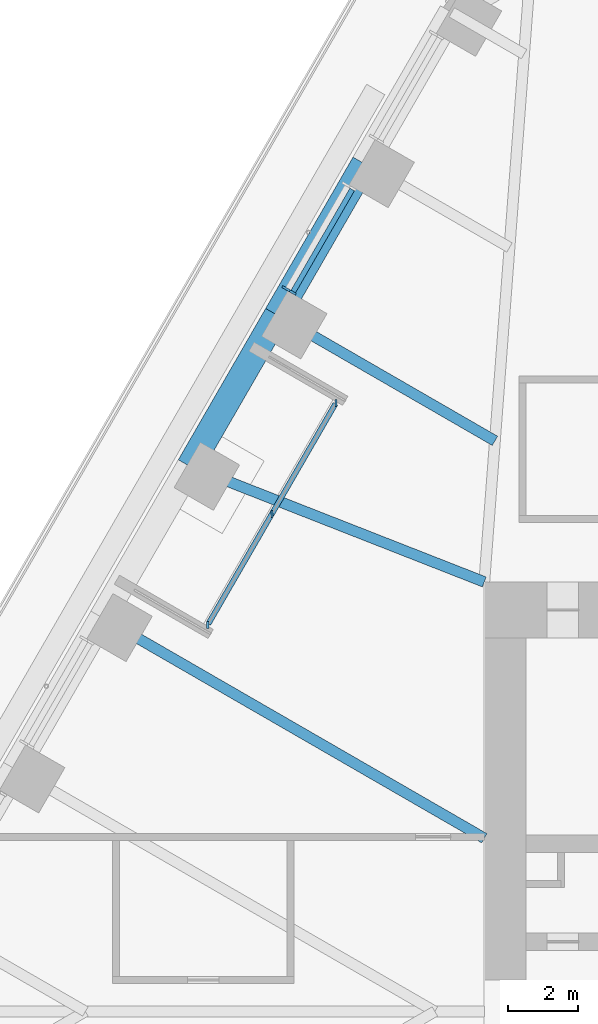
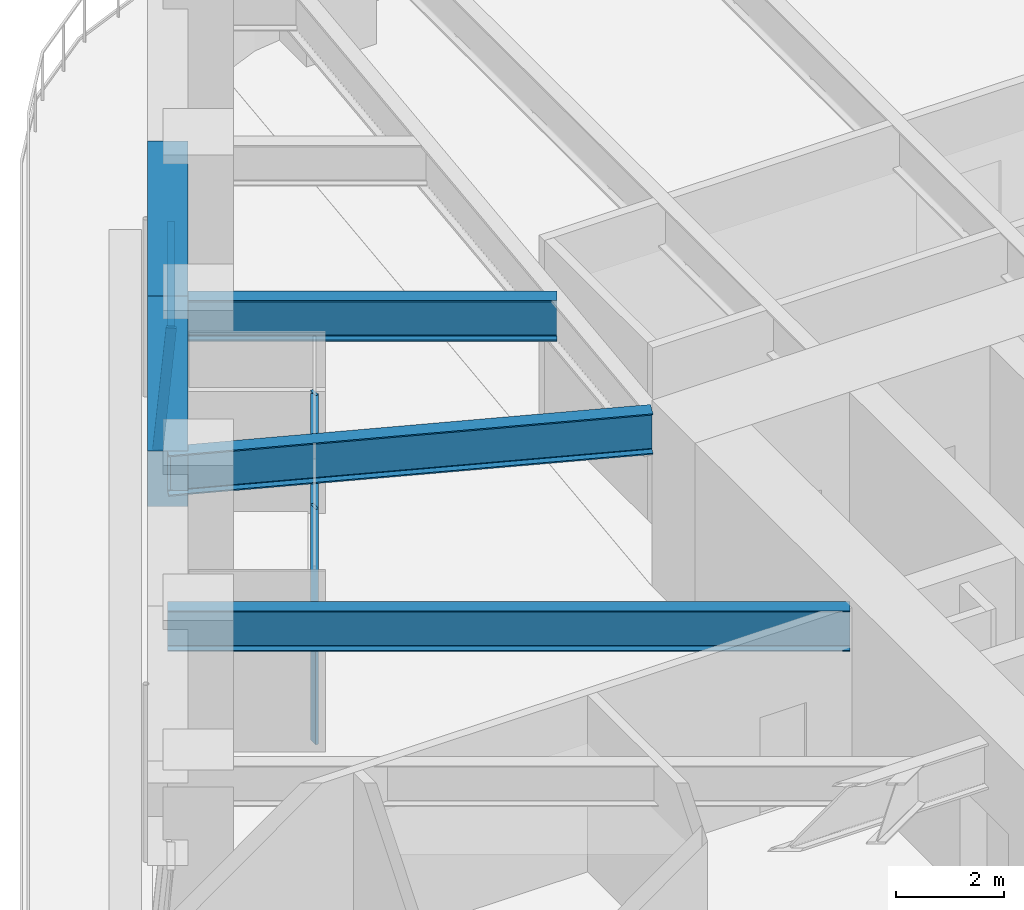
# One storey, part 8 of 24: 6 members, 5 beams, 2 elements without a shape of their own.
"""IFC4 building model written with IfcOpenShell, lengths in metres."""

from ifc_helpers import new_model, si_unit, direction, frame, origin, origin_2d, place, context, subcontext, project, spatial, rectangle, i_section, extrude, material, material_profile, profile_set, type_object, element, aggregate, save


model = new_model("IFC4")

# Units and contexts
model_context = context("Model", 3, precision=1e-05, world=origin(), true_north=direction((0.0, 1.0)))
body_context = subcontext(model_context, "Body", "Model", "MODEL_VIEW")
ifc_project = project(units=[si_unit("LENGTHUNIT", "METRE"), si_unit("AREAUNIT", "SQUARE_METRE"), si_unit("VOLUMEUNIT", "CUBIC_METRE"), si_unit("PLANEANGLEUNIT", "RADIAN"), si_unit("MASSUNIT", "GRAM", prefix="KILO")], contexts=[model_context])

# Site, building, storey
site_placement = place(None, origin())
site = spatial("IfcSite", under=ifc_project, at=site_placement, CompositionType="ELEMENT")
building_placement = place(site_placement, origin())
building = spatial("IfcBuilding", under=site, at=building_placement, Name="Tarfa Lantern Tower", CompositionType="ELEMENT")
storey_placement = place(building_placement, frame((0.0, 0.0, 186.699951171875)))
storey = spatial("IfcBuildingStorey", under=building, at=storey_placement, Name="L42", CompositionType="ELEMENT", Elevation=186.699951171875)

# Curtain wall, member
ifc_material_1 = material(Name="Aluminium framed curtain wall", Category="aluminium")
curtain_wall_type_1 = type_object("IfcCurtainWallType", Name="CW2 CANTED GLAZING MID ZONE 2750", PredefinedType="USERDEFINED", material=ifc_material_1)
curtain_wall_1_placement = place(storey_placement, origin())
curtain_wall_1 = element("IfcCurtainWall", 1, at=curtain_wall_1_placement, inside=storey, type_object=curtain_wall_type_1, Name="CW2 NW L42", ObjectType="CURTAIN WALL", PredefinedType="USERDEFINED")
ifc_material_2 = material(Name="Aluminium mullion", Category="aluminium")
ifc_material_profile_1 = material_profile(ifc_material_2, rectangle(XDim=0.06494140625, YDim=0.199951171875, at=origin_2d()), Name="AL MULLION 65x200")
ifc_profile_set_1 = profile_set([ifc_material_profile_1], Name="Aluminium mullion")
member_type_1 = type_object("IfcMemberType", Name="CWM1 MULLION 65x200", PredefinedType="MULLION", material=ifc_profile_set_1)
member_1_placement = place(storey_placement, frame((-24.300048828125, 20.7109375, 0.0), z_axis=(0.078422950161, -0.045267813396, 0.995891894715), x_axis=(0.499919672301, 0.866071776036, 0.0)))
member_1 = element("IfcMember", 2, at=member_1_placement, type_object=member_type_1, Name="CW2 mullion 2", PredefinedType="MULLION", context=body_context, shape_type="SweptSolid", body=[
    extrude(rectangle(XDim=0.06494140625, YDim=0.199951171875, at=origin_2d()), origin(), (0.0, 0.0, 1.0), 2.76123046875),
])

# Curtain wall, members
curtain_wall_type_2 = type_object("IfcCurtainWallType", Name="CW10 LOGGIA GLAZING 2750", PredefinedType="USERDEFINED", material=ifc_material_1)
curtain_wall_2_placement = place(storey_placement, origin())
curtain_wall_2 = element("IfcCurtainWall", 3, at=curtain_wall_2_placement, inside=storey, type_object=curtain_wall_type_2, Name="CW10 NWL L42", ObjectType="CURTAIN WALL", PredefinedType="USERDEFINED")
member_2_placement = place(storey_placement, frame((-22.84619140625, 17.429443359375, 0.0), z_axis=(0.0, 0.0, 1.0), x_axis=(1.0, 0.0, 0.0)))
member_2 = element("IfcMember", 4, at=member_2_placement, type_object=member_type_1, Name="CW10 mullion 1", PredefinedType="MULLION", context=body_context, shape_type="SweptSolid", body=[
    extrude(rectangle(XDim=0.06494140625, YDim=0.199951171875, at=origin_2d()), origin(), (0.0, 0.0, 1.0), 2.75),
])
member_3_placement = place(storey_placement, frame((-24.681640625, 14.25, 0.0), z_axis=(0.0, 0.0, 1.0), x_axis=(1.0, 0.0, 0.0)))
member_3 = element("IfcMember", 5, at=member_3_placement, type_object=member_type_1, Name="CW10 mullion 2", PredefinedType="MULLION", context=body_context, shape_type="SweptSolid", body=[
    extrude(rectangle(XDim=0.06494140625, YDim=0.199951171875, at=origin_2d()), origin(), (0.0, 0.0, 1.0), 2.75),
])
member_4_placement = place(storey_placement, frame((-26.517333984375, 11.070556640625, 0.0), z_axis=(0.0, 0.0, 1.0), x_axis=(1.0, 0.0, 0.0)))
member_4 = element("IfcMember", 6, at=member_4_placement, type_object=member_type_1, Name="CW10 mullion 3", PredefinedType="MULLION", context=body_context, shape_type="SweptSolid", body=[
    extrude(rectangle(XDim=0.06494140625, YDim=0.199951171875, at=origin_2d()), origin(), (0.0, 0.0, 1.0), 2.75),
])

# Member
ifc_material_3 = material(Name="Aluminium transom", Category="aluminium")
ifc_material_profile_2 = material_profile(ifc_material_3, rectangle(XDim=0.14990234375, YDim=0.06494140625, at=origin_2d()), Name="AL TRANSOM 150x65")
ifc_profile_set_2 = profile_set([ifc_material_profile_2], Name="Aluminium transom")
member_type_2 = type_object("IfcMemberType", Name="CWT1 TRANSOM 150x65", PredefinedType="USERDEFINED", material=ifc_profile_set_2)
member_5_placement = place(storey_placement, frame((-22.383056640625, 23.537353515625, 2.717529296875), z_axis=(-0.499991822116, -0.866030125237, 0.0), x_axis=(0.866030125237, -0.499991822116, 0.0)))
member_5 = element("IfcMember", 7, at=member_5_placement, type_object=member_type_2, Name="CW2 transom 1.2", ObjectType="TRANSOM", PredefinedType="USERDEFINED", context=body_context, shape_type="SweptSolid", body=[
    extrude(rectangle(XDim=0.14990234375, YDim=0.06494140625, at=origin_2d()), origin(), (0.0, 0.0, 1.0), 3.37353515625),
])

aggregate(curtain_wall_1, [member_1, member_5])

member_6_placement = place(storey_placement, frame((-22.8623046875, 17.401123046875, 2.717529296875), z_axis=(-0.500007048974, -0.866021334019, 0.0), x_axis=(0.866021334019, -0.500007048974, 0.0)))
member_6 = element("IfcMember", 8, at=member_6_placement, type_object=member_type_2, Name="CW10 transom 1.2", ObjectType="TRANSOM", PredefinedType="USERDEFINED", context=body_context, shape_type="SweptSolid", body=[
    extrude(rectangle(XDim=0.14990234375, YDim=0.06494140625, at=origin_2d()), origin(), (0.0, 0.0, 1.0), 7.27734375),
])

aggregate(curtain_wall_2, [member_2, member_3, member_4, member_6])

# Beams
ifc_material_4 = material(Name="Concrete C80/95", Category="concrete")
ifc_material_profile_3 = material_profile(ifc_material_4, rectangle(XDim=0.75, YDim=1.25, at=origin_2d()), Name="RC 750x1250")
ifc_profile_set_3 = profile_set([ifc_material_profile_3], Name="Concrete C80/95")
beam_type_1 = type_object("IfcBeamType", Name="EB2 RC 750x1250", PredefinedType="SPANDREL", material=ifc_profile_set_3)
for number, where, z_axis, x_axis, name in (
    (9, (-22.03369140625, 24.276611328125, 3.375), (-0.49998573051, -0.866033642122, 0.0), (0.866033642122, -0.49998573051, 0.0), "Edge beam NW1"),
    (10, (-24.535400390625, 19.943359375, 3.375), (-0.500022324899, -0.866012514114, 0.0), (0.866012514114, -0.500022324899, 0.0), "Edge beam NW2"),
):
    element("IfcBeam", number, at=place(storey_placement, frame(where, z_axis=z_axis, x_axis=x_axis)), inside=storey, type_object=beam_type_1, Name=name, PredefinedType="SPANDREL", context=body_context, shape_type="SweptSolid", body=[
        extrude(rectangle(XDim=0.75, YDim=1.25, at=origin_2d()), origin(), (0.0, 0.0, 1.0), 5.003662109375),
    ])
ifc_material_5 = material(Name="Steel S460M", Category="steel")
ifc_material_profile_4 = material_profile(ifc_material_5, i_section(OverallWidth=0.305419921875, OverallDepth=0.91845703125, WebThickness=0.017333984375, FlangeThickness=0.02783203125, FilletRadius=0.01904296875, at=origin_2d()), Name="UB914x305x253")
ifc_profile_set_4 = profile_set([ifc_material_profile_4], Name="Steel S460M")
beam_type_2 = type_object("IfcBeamType", Name="UB914x305x253", PredefinedType="BEAM", material=ifc_profile_set_4)
beam_1_placement = place(storey_placement, frame((-24.535400390625, 19.943359375, 3.540771484375), z_axis=(0.86602647304, -0.499998147991, 0.0), x_axis=(0.499998147991, 0.86602647304, 0.0)))
element("IfcBeam", 11, at=beam_1_placement, inside=storey, type_object=beam_type_2, Name="Floor beam NW2", PredefinedType="BEAM", context=body_context, shape_type="SweptSolid", body=[
    extrude(i_section(OverallWidth=0.305419921875, OverallDepth=0.91845703125, WebThickness=0.017333984375, FlangeThickness=0.02783203125, FilletRadius=0.01904296875, at=origin_2d()), origin(), (0.0, 0.0, 1.0), 7.20556640625),
])
beam_2_placement = place(storey_placement, frame((-27.037353515625, 15.610107421875, 3.540771484375), z_axis=(0.930923282782, -0.365214788274, 0.0), x_axis=(0.365214788274, 0.930923282782, 0.0)))
element("IfcBeam", 12, at=beam_2_placement, inside=storey, type_object=beam_type_2, Name="Floor beam NW3", PredefinedType="BEAM", context=body_context, shape_type="SweptSolid", body=[
    extrude(i_section(OverallWidth=0.305419921875, OverallDepth=0.91845703125, WebThickness=0.017333984375, FlangeThickness=0.02783203125, FilletRadius=0.01904296875, at=origin_2d()), origin(), (0.0, 0.0, 1.0), 9.063232421875),
])
beam_3_placement = place(storey_placement, frame((-29.5390625, 11.276611328125, 3.540771484375), z_axis=(0.866023362995, -0.500003534735, 0.0), x_axis=(0.500003534735, 0.866023362995, 0.0)))
element("IfcBeam", 13, at=beam_3_placement, inside=storey, type_object=beam_type_2, Name="Floor beam NW4", PredefinedType="BEAM", context=body_context, shape_type="SweptSolid", body=[
    extrude(i_section(OverallWidth=0.305419921875, OverallDepth=0.91845703125, WebThickness=0.017333984375, FlangeThickness=0.02783203125, FilletRadius=0.01904296875, at=origin_2d()), origin(), (0.0, 0.0, 1.0), 12.63134765625),
])

save(model, "model.ifc")
